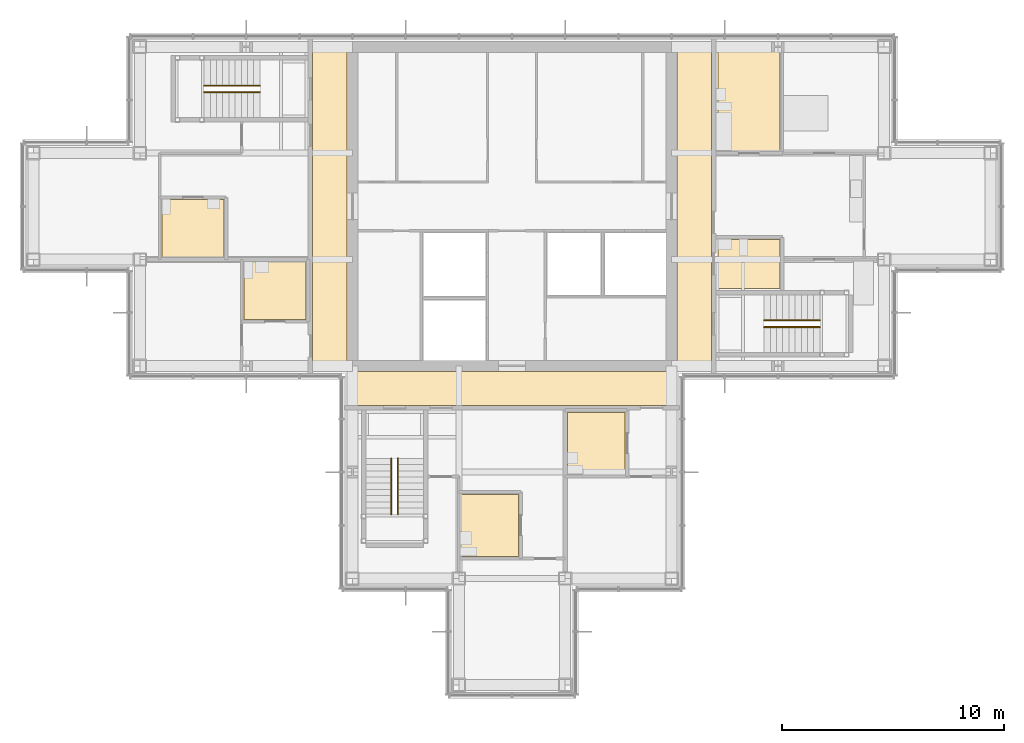
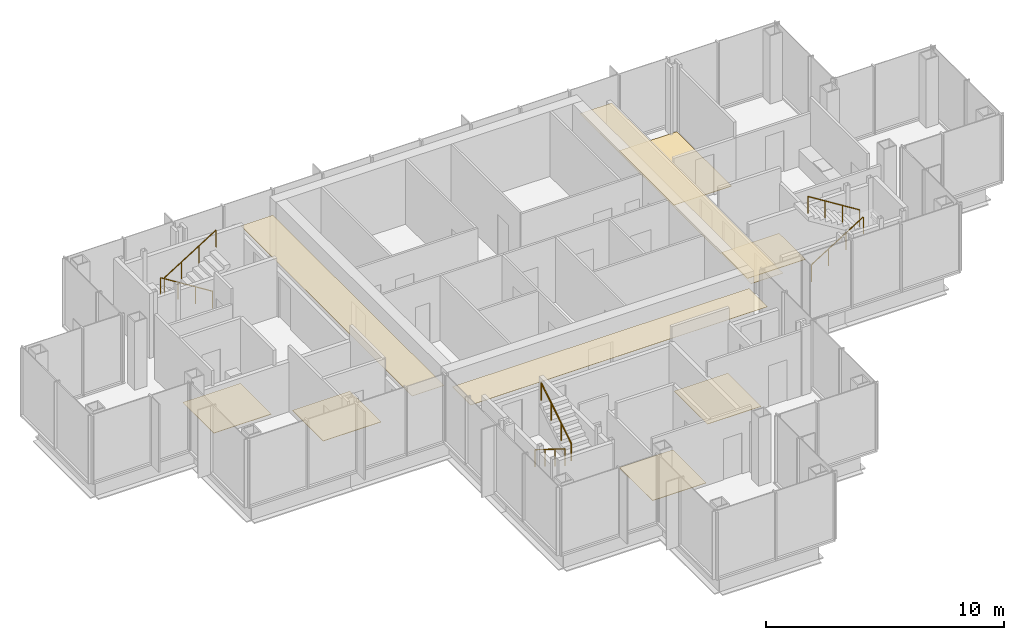
# One storey, part 13 of 15: 9 coverings, 6 railings.
"""IFC4 building model written with IfcOpenShell, lengths in metres."""

from ifc_helpers import new_model, si_unit, direction, frame, origin, origin_2d, place, context, subcontext, project, spatial, polyline, circle, outline, extrude, material, layer, layer_set, type_object, element, save


model = new_model("IFC4")

# Units and contexts
model_context = context("Model", 3, precision=1e-05, world=origin(), true_north=direction((0.0, 1.0)))
body_context = subcontext(model_context, "Body", "Model", "MODEL_VIEW")
ifc_project = project(units=[si_unit("LENGTHUNIT", "METRE"), si_unit("AREAUNIT", "SQUARE_METRE"), si_unit("VOLUMEUNIT", "CUBIC_METRE"), si_unit("PLANEANGLEUNIT", "RADIAN"), si_unit("MASSUNIT", "GRAM", prefix="KILO")], contexts=[model_context])

# Site, building, storey
site_placement = place(None, origin())
site = spatial("IfcSite", under=ifc_project, at=site_placement, CompositionType="ELEMENT")
building_placement = place(site_placement, origin())
building = spatial("IfcBuilding", under=site, at=building_placement, Name="Kvirike Care Tower", CompositionType="ELEMENT")
storey_placement = place(building_placement, frame((0.0, 0.0, 226.0)))
storey = spatial("IfcBuildingStorey", under=building, at=storey_placement, Name="L62", CompositionType="ELEMENT", Elevation=226.0)

# Coverings
ifc_material_1 = material(Name="Perforated metal ceiling tile", Category="aluminium")
ifc_layer_1 = layer(ifc_material_1, 0.014892578125)
ifc_layer_set_1 = layer_set([ifc_layer_1], Name="CORRIDOR CEILING 15")
covering_type_1 = type_object("IfcCoveringType", Name="CORRIDOR CEILING 15", PredefinedType="CEILING", material=ifc_layer_set_1)
covering_1_placement = place(storey_placement, frame((0.0, 0.0, 2.5)))
element("IfcCovering", 1, at=covering_1_placement, inside=storey, type_object=covering_type_1, Name="Corridor ceiling L62", PredefinedType="CEILING", context=body_context, shape_type="SweptSolid", body=[
    extrude(outline(polyline([(12.60009765625, 43.199951171875), (14.14990234375, 43.199951171875), (14.14990234375, 28.800048828125), (12.60009765625, 28.800048828125), (12.60009765625, 43.199951171875)])), origin(), (0.0, 0.0, 1.0), 0.014892578125),
])
covering_2_placement = place(storey_placement, frame((0.0, 0.0, 2.5)))
element("IfcCovering", 2, at=covering_2_placement, inside=storey, type_object=covering_type_1, Name="Corridor ceiling L62", PredefinedType="CEILING", context=body_context, shape_type="SweptSolid", body=[
    extrude(outline(polyline([(14.39990234375, 27.0), (14.39990234375, 28.550048828125), (28.800048828125, 28.550048828125), (28.800048828125, 27.0), (14.39990234375, 27.0)])), origin(), (0.0, 0.0, 1.0), 0.014892578125),
])
covering_3_placement = place(storey_placement, frame((0.0, 0.0, 2.5)))
element("IfcCovering", 3, at=covering_3_placement, inside=storey, type_object=covering_type_1, Name="Corridor ceiling L62", PredefinedType="CEILING", context=body_context, shape_type="SweptSolid", body=[
    extrude(outline(polyline([(30.60009765625, 28.800048828125), (29.050048828125, 28.800048828125), (29.050048828125, 43.199951171875), (30.60009765625, 43.199951171875), (30.60009765625, 28.800048828125)])), origin(), (0.0, 0.0, 1.0), 0.014892578125),
])

# Railings
ifc_material_2 = material(Name="Stainless steel handrail", Category="steel")
railing_type = type_object("IfcRailingType", Name="STAIR HANDRAIL 900", PredefinedType="HANDRAIL", material=ifc_material_2)
railing_1_placement = place(storey_placement, frame((10.219970703125, 41.449951171875, 0.175048828125)))
element("IfcRailing", 4, at=railing_1_placement, inside=storey, type_object=railing_type, Name="Stair 1 handrail L62 flight 1", PredefinedType="HANDRAIL", context=body_context, shape_type="SweptSolid", body=[
    extrude(circle(Radius=0.02490234375, at=origin_2d()), frame((0.0, 0.0, 0.875), z_axis=(-0.848007534815, 0.0, 0.529984170421), x_axis=(0.0, -1.0, 0.0)), (0.0, 0.0, 1.0), 2.9716796875),
    extrude(circle(Radius=0.02001953125, at=origin_2d()), origin(), (0.0, 0.0, 1.0), 0.849853515625),
    extrude(circle(Radius=0.02001953125, at=origin_2d()), frame((-0.840087890625, 0.0, 0.52490234375)), (0.0, 0.0, 1.0), 0.849853515625),
    extrude(circle(Radius=0.02001953125, at=origin_2d()), frame((-1.679931640625, 0.0, 1.050048828125)), (0.0, 0.0, 1.0), 0.849853515625),
    extrude(circle(Radius=0.02001953125, at=origin_2d()), frame((-2.52001953125, 0.0, 1.574951171875)), (0.0, 0.0, 1.0), 0.849853515625),
])
for number, where, name in (
    (5, (7.699951171875, 41.14990234375, 1.925048828125), "Stair 1 handrail L62 flight 2"),
    (6, (32.97998046875, 30.550048828125, 0.175048828125), "Stair 2 handrail L62 flight 1"),
):
    element("IfcRailing", number, at=place(storey_placement, frame(where)), inside=storey, type_object=railing_type, Name=name, PredefinedType="HANDRAIL", context=body_context, shape_type="SweptSolid", body=[
        extrude(circle(Radius=0.02490234375, at=origin_2d()), frame((0.0, 0.0, 0.875), z_axis=(0.848007534815, 0.0, 0.529984170421), x_axis=(0.0, 1.0, 0.0)), (0.0, 0.0, 1.0), 2.9716796875),
        extrude(circle(Radius=0.02001953125, at=origin_2d()), origin(), (0.0, 0.0, 1.0), 0.849853515625),
        extrude(circle(Radius=0.02001953125, at=origin_2d()), frame((0.840087890625, 0.0, 0.52490234375)), (0.0, 0.0, 1.0), 0.849853515625),
        extrude(circle(Radius=0.02001953125, at=origin_2d()), frame((1.679931640625, 0.0, 1.050048828125)), (0.0, 0.0, 1.0), 0.849853515625),
        extrude(circle(Radius=0.02001953125, at=origin_2d()), frame((2.52001953125, 0.0, 1.574951171875)), (0.0, 0.0, 1.0), 0.849853515625),
    ])
railing_2_placement = place(storey_placement, frame((35.5, 30.85009765625, 1.925048828125)))
element("IfcRailing", 7, at=railing_2_placement, inside=storey, type_object=railing_type, Name="Stair 2 handrail L62 flight 2", PredefinedType="HANDRAIL", context=body_context, shape_type="SweptSolid", body=[
    extrude(circle(Radius=0.02490234375, at=origin_2d()), frame((0.0, 0.0, 0.875), z_axis=(-0.848007534815, 0.0, 0.529984170421), x_axis=(0.0, -1.0, 0.0)), (0.0, 0.0, 1.0), 2.9716796875),
    extrude(circle(Radius=0.02001953125, at=origin_2d()), origin(), (0.0, 0.0, 1.0), 0.849853515625),
    extrude(circle(Radius=0.02001953125, at=origin_2d()), frame((-0.840087890625, 0.0, 0.52490234375)), (0.0, 0.0, 1.0), 0.849853515625),
    extrude(circle(Radius=0.02001953125, at=origin_2d()), frame((-1.679931640625, 0.0, 1.050048828125)), (0.0, 0.0, 1.0), 0.849853515625),
    extrude(circle(Radius=0.02001953125, at=origin_2d()), frame((-2.52001953125, 0.0, 1.574951171875)), (0.0, 0.0, 1.0), 0.849853515625),
])
railing_3_placement = place(storey_placement, frame((16.14990234375, 24.6201171875, 0.175048828125)))
element("IfcRailing", 8, at=railing_3_placement, inside=storey, type_object=railing_type, Name="Stair 5 handrail L62 flight 1", PredefinedType="HANDRAIL", context=body_context, shape_type="SweptSolid", body=[
    extrude(circle(Radius=0.02490234375, at=origin_2d()), frame((0.0, 0.0, 0.875), z_axis=(0.0, -0.848007534815, 0.529984170421), x_axis=(1.0, 0.0, 0.0)), (0.0, 0.0, 1.0), 2.9716796875),
    extrude(circle(Radius=0.02001953125, at=origin_2d()), origin(), (0.0, 0.0, 1.0), 0.849853515625),
    extrude(circle(Radius=0.02001953125, at=origin_2d()), frame((0.0, -0.840087890625, 0.52490234375)), (0.0, 0.0, 1.0), 0.849853515625),
    extrude(circle(Radius=0.02001953125, at=origin_2d()), frame((0.0, -1.679931640625, 1.050048828125)), (0.0, 0.0, 1.0), 0.849853515625),
    extrude(circle(Radius=0.02001953125, at=origin_2d()), frame((0.0, -2.52001953125, 1.574951171875)), (0.0, 0.0, 1.0), 0.849853515625),
])
railing_4_placement = place(storey_placement, frame((16.449951171875, 22.10009765625, 1.925048828125)))
element("IfcRailing", 9, at=railing_4_placement, inside=storey, type_object=railing_type, Name="Stair 5 handrail L62 flight 2", PredefinedType="HANDRAIL", context=body_context, shape_type="SweptSolid", body=[
    extrude(circle(Radius=0.02490234375, at=origin_2d()), frame((0.0, 0.0, 0.875), z_axis=(0.0, 0.848007534815, 0.529984170421), x_axis=(-1.0, 0.0, 0.0)), (0.0, 0.0, 1.0), 2.9716796875),
    extrude(circle(Radius=0.02001953125, at=origin_2d()), origin(), (0.0, 0.0, 1.0), 0.849853515625),
    extrude(circle(Radius=0.02001953125, at=origin_2d()), frame((0.0, 0.840087890625, 0.52490234375)), (0.0, 0.0, 1.0), 0.849853515625),
    extrude(circle(Radius=0.02001953125, at=origin_2d()), frame((0.0, 1.679931640625, 1.050048828125)), (0.0, 0.0, 1.0), 0.849853515625),
    extrude(circle(Radius=0.02001953125, at=origin_2d()), frame((0.0, 2.52001953125, 1.574951171875)), (0.0, 0.0, 1.0), 0.849853515625),
])

# Coverings
ifc_material_3 = material(Name="Slip-resistant vinyl safety flooring on screed")
ifc_layer_2 = layer(ifc_material_3, 0.02001953125)
ifc_layer_set_2 = layer_set([ifc_layer_2], Name="WET ROOM FLOOR 20")
covering_type_2 = type_object("IfcCoveringType", Name="WET ROOM FLOOR 20", PredefinedType="FLOORING", material=ifc_layer_set_2)
covering_4_placement = place(storey_placement, origin())
element("IfcCovering", 10, at=covering_4_placement, inside=storey, type_object=covering_type_2, Name="Staff WC floor L62-004", PredefinedType="FLOORING", context=body_context, shape_type="SweptSolid", body=[
    extrude(outline(polyline([(5.800048828125, 36.300048828125), (8.60009765625, 36.300048828125), (8.60009765625, 33.699951171875), (5.800048828125, 33.699951171875), (5.800048828125, 36.300048828125)])), origin(), (0.0, 0.0, 1.0), 0.02001953125),
])
covering_5_placement = place(storey_placement, origin())
element("IfcCovering", 11, at=covering_5_placement, inside=storey, type_object=covering_type_2, Name="Accessible WC floor L62-007", PredefinedType="FLOORING", context=body_context, shape_type="SweptSolid", body=[
    extrude(outline(polyline([(9.5, 33.5), (12.300048828125, 33.5), (12.300048828125, 30.89990234375), (9.5, 30.89990234375), (9.5, 33.5)])), origin(), (0.0, 0.0, 1.0), 0.02001953125),
])
covering_6_placement = place(storey_placement, origin())
element("IfcCovering", 12, at=covering_6_placement, inside=storey, type_object=covering_type_2, Name="Accessible WC floor L62-013", PredefinedType="FLOORING", context=body_context, shape_type="SweptSolid", body=[
    extrude(outline(polyline([(19.300048828125, 20.199951171875), (19.300048828125, 23.0), (21.89990234375, 23.0), (21.89990234375, 20.199951171875), (19.300048828125, 20.199951171875)])), origin(), (0.0, 0.0, 1.0), 0.02001953125),
])
covering_7_placement = place(storey_placement, origin())
element("IfcCovering", 13, at=covering_7_placement, inside=storey, type_object=covering_type_2, Name="Staff WC floor L62-016", PredefinedType="FLOORING", context=body_context, shape_type="SweptSolid", body=[
    extrude(outline(polyline([(24.10009765625, 23.89990234375), (24.10009765625, 26.699951171875), (26.699951171875, 26.699951171875), (26.699951171875, 23.89990234375), (24.10009765625, 23.89990234375)])), origin(), (0.0, 0.0, 1.0), 0.02001953125),
])
covering_8_placement = place(storey_placement, origin())
element("IfcCovering", 14, at=covering_8_placement, inside=storey, type_object=covering_type_2, Name="Accessible WC floor L62-023", PredefinedType="FLOORING", context=body_context, shape_type="SweptSolid", body=[
    extrude(outline(polyline([(33.699951171875, 32.300048828125), (30.89990234375, 32.300048828125), (30.89990234375, 34.5), (33.699951171875, 34.5), (33.699951171875, 32.300048828125)])), origin(), (0.0, 0.0, 1.0), 0.02001953125),
])
covering_9_placement = place(storey_placement, origin())
element("IfcCovering", 15, at=covering_9_placement, inside=storey, type_object=covering_type_2, Name="Bathroom floor L62-024", PredefinedType="FLOORING", context=body_context, shape_type="SweptSolid", body=[
    extrude(outline(polyline([(33.699951171875, 38.5), (30.89990234375, 38.5), (30.89990234375, 43.10009765625), (33.699951171875, 43.10009765625), (33.699951171875, 38.5)])), origin(), (0.0, 0.0, 1.0), 0.02001953125),
])

save(model, "model.ifc")
